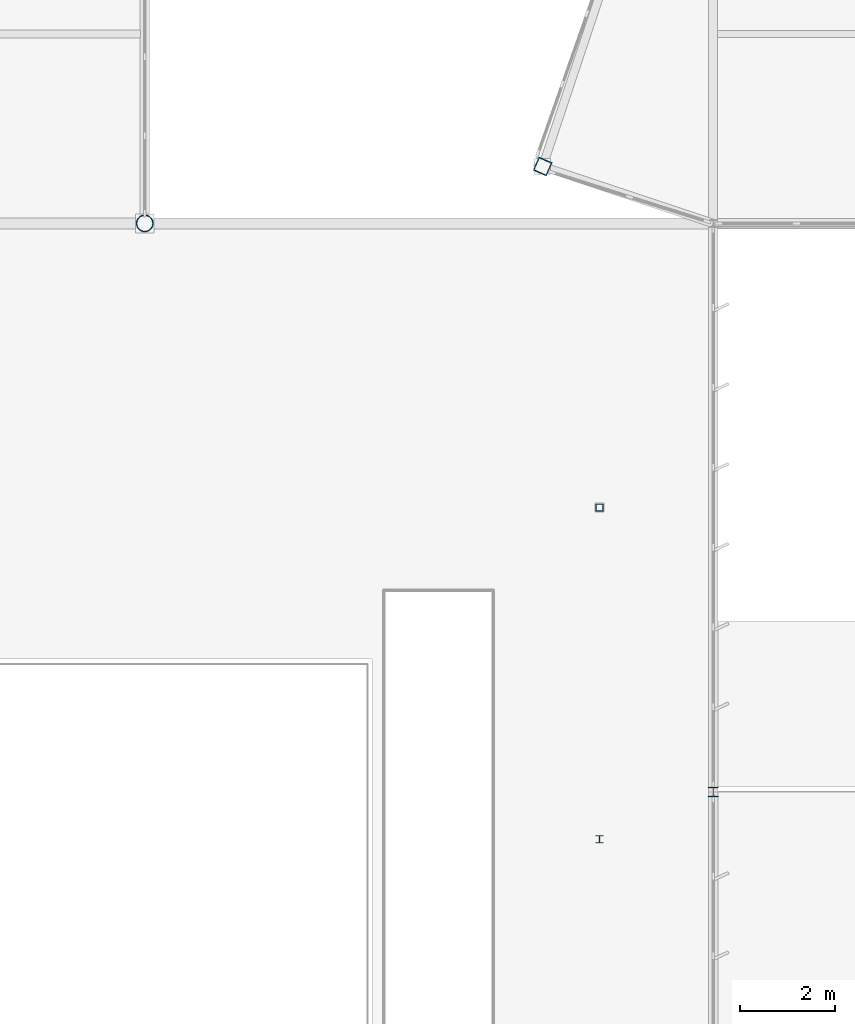
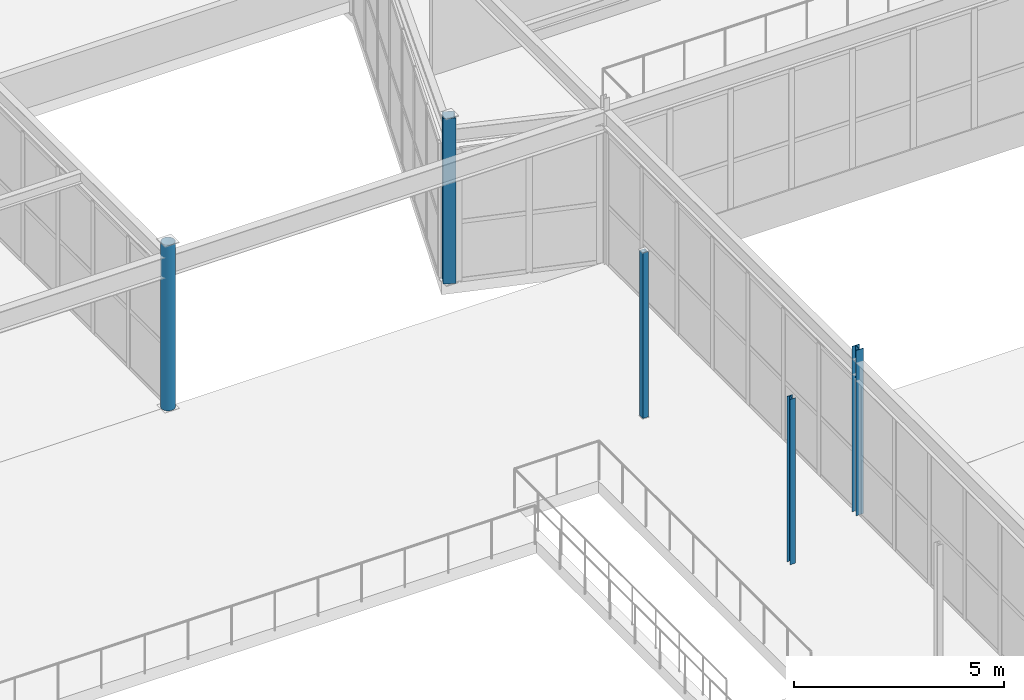
# One storey, part 50 of 226: 5 columns.
"""IFC4 building model written with IfcOpenShell, lengths in metres."""

from ifc_helpers import new_model, si_unit, direction, frame, origin, origin_2d, place, context, subcontext, project, spatial, hollow_rectangle, hollow_circle, i_section, extrude, material, material_profile, profile_set, type_object, element, save


model = new_model("IFC4")

# Units and contexts
model_context = context("Model", 3, precision=1e-05, world=origin(), true_north=direction((0.0, 1.0)))
body_context = subcontext(model_context, "Body", "Model", "MODEL_VIEW")
ifc_project = project(units=[si_unit("LENGTHUNIT", "METRE"), si_unit("AREAUNIT", "SQUARE_METRE"), si_unit("VOLUMEUNIT", "CUBIC_METRE"), si_unit("PLANEANGLEUNIT", "RADIAN"), si_unit("MASSUNIT", "GRAM", prefix="KILO")], contexts=[model_context])

# Site, building, storey
site_placement = place(None, origin())
site = spatial("IfcSite", under=ifc_project, at=site_placement, CompositionType="ELEMENT")
building_placement = place(site_placement, origin())
building = spatial("IfcBuilding", under=site, at=building_placement, Name="Tarnwether General Hospital", CompositionType="ELEMENT")
storey_placement = place(building_placement, frame((0.0, 0.0, 4.800048828125)))
storey = spatial("IfcBuildingStorey", under=building, at=storey_placement, Name="L01", CompositionType="ELEMENT", Elevation=4.800048828125)

# Columns
ifc_material_1 = material(Name="Steel Grade C350L0 (350 MPa)", Category="steel")
ifc_material_profile_1 = material_profile(ifc_material_1, hollow_circle(Radius=0.177734375, WallThickness=0.0126953125, at=origin_2d()), Name="CHS355.6x12.7")
ifc_profile_set_1 = profile_set([ifc_material_profile_1], Name="Steel Grade C350L0 (350 MPa)")
column_type_1 = type_object("IfcColumnType", Name="COL-11", PredefinedType="COLUMN", material=ifc_profile_set_1)
column_1_placement = place(storey_placement, frame((132.0, 81.60009765625, 0.0), z_axis=(0.0, 0.0, 1.0), x_axis=(0.0, 1.0, 0.0)))
element("IfcColumn", 1, at=column_1_placement, inside=storey, type_object=column_type_1, Name="Column COLG-L01-13200_8160", PredefinedType="COLUMN", context=body_context, shape_type="SweptSolid", body=[
    extrude(hollow_circle(Radius=0.177734375, WallThickness=0.0126953125, at=origin_2d()), origin(), (0.0, 0.0, 1.0), 4.800048828125),
])
ifc_material_2 = material(Name="Steel Grade 350 (350 MPa)", Category="steel")
ifc_material_profile_2 = material_profile(ifc_material_2, i_section(OverallWidth=0.202880859375, OverallDepth=0.202880859375, WebThickness=0.00732421875, FlangeThickness=0.010986328125, at=origin_2d()), Name="200UC46.2")
ifc_profile_set_2 = profile_set([ifc_material_profile_2], Name="Steel Grade 350 (350 MPa)")
column_type_2 = type_object("IfcColumnType", Name="COL-27", PredefinedType="COLUMN", material=ifc_profile_set_2)
column_2_placement = place(storey_placement, frame((144.0, 69.60009765625, 0.0), z_axis=(0.0, 0.0, 1.0), x_axis=(1.0, 0.0, 0.0)))
element("IfcColumn", 2, at=column_2_placement, inside=storey, type_object=column_type_2, Name="Column COLG-L01-14400_6960", PredefinedType="COLUMN", context=body_context, shape_type="SweptSolid", body=[
    extrude(i_section(OverallWidth=0.202880859375, OverallDepth=0.202880859375, WebThickness=0.00732421875, FlangeThickness=0.010986328125, at=origin_2d()), origin(), (0.0, 0.0, 1.0), 4.800048828125),
])
ifc_material_3 = material(Name="Steel Grade C350L0 (350 MPa)", Category="steel")
ifc_material_profile_3 = material_profile(ifc_material_3, hollow_rectangle(XDim=0.300048828125, YDim=0.300048828125, WallThickness=0.012451171875, at=origin_2d()), Name="SHS300x300x12.5")
ifc_profile_set_3 = profile_set([ifc_material_profile_3], Name="Steel Grade C350L0 (350 MPa)")
column_type_3 = type_object("IfcColumnType", Name="COL-30", PredefinedType="COLUMN", material=ifc_profile_set_3)
column_3_placement = place(storey_placement, frame((140.39990234375, 82.800048828125, 0.0), z_axis=(0.0, 0.0, 1.0), x_axis=(0.913545457643, -0.406736643076, 0.0)))
element("IfcColumn", 3, at=column_3_placement, inside=storey, type_object=column_type_3, Name="Column COLG-L01-14040_8280", PredefinedType="COLUMN", context=body_context, shape_type="SweptSolid", body=[
    extrude(hollow_rectangle(XDim=0.300048828125, YDim=0.300048828125, WallThickness=0.012451171875, at=origin_2d()), origin(), (0.0, 0.0, 1.0), 4.800048828125),
])
ifc_material_4 = material(Name="Steel Grade 350 (350 MPa)", Category="steel")
ifc_material_profile_4 = material_profile(ifc_material_4, i_section(OverallWidth=0.152099609375, OverallDepth=0.152099609375, WebThickness=0.006103515625, FlangeThickness=0.0068359375, at=origin_2d()), Name="150UC23.4")
ifc_profile_set_4 = profile_set([ifc_material_profile_4], Name="Steel Grade 350 (350 MPa)")
column_type_4 = type_object("IfcColumnType", Name="COL-32", PredefinedType="COLUMN", material=ifc_profile_set_4)
column_4_placement = place(storey_placement, frame((141.60009765625, 68.60009765625, 0.0), z_axis=(0.0, 0.0, 1.0), x_axis=(1.0, 0.0, 0.0)))
element("IfcColumn", 4, at=column_4_placement, inside=storey, type_object=column_type_4, Name="Column COLG-L01-14160_6860", PredefinedType="COLUMN", context=body_context, shape_type="SweptSolid", body=[
    extrude(i_section(OverallWidth=0.152099609375, OverallDepth=0.152099609375, WebThickness=0.006103515625, FlangeThickness=0.0068359375, at=origin_2d()), origin(), (0.0, 0.0, 1.0), 4.800048828125),
])
ifc_material_5 = material(Name="Steel Grade C350L0 (350 MPa)", Category="steel")
ifc_material_profile_5 = material_profile(ifc_material_5, hollow_rectangle(XDim=0.14990234375, YDim=0.14990234375, WallThickness=0.008056640625, at=origin_2d()), Name="SHS150x150x8")
ifc_profile_set_5 = profile_set([ifc_material_profile_5], Name="Steel Grade C350L0 (350 MPa)")
column_type_5 = type_object("IfcColumnType", Name="COL-33", PredefinedType="COLUMN", material=ifc_profile_set_5)
column_5_placement = place(storey_placement, frame((141.60009765625, 75.60009765625, 0.0), z_axis=(0.0, 0.0, 1.0), x_axis=(1.0, 0.0, 0.0)))
element("IfcColumn", 5, at=column_5_placement, inside=storey, type_object=column_type_5, Name="Column COLG-L01-14160_7560", PredefinedType="COLUMN", context=body_context, shape_type="SweptSolid", body=[
    extrude(hollow_rectangle(XDim=0.14990234375, YDim=0.14990234375, WallThickness=0.008056640625, at=origin_2d()), origin(), (0.0, 0.0, 1.0), 4.800048828125),
])

save(model, "model.ifc")
